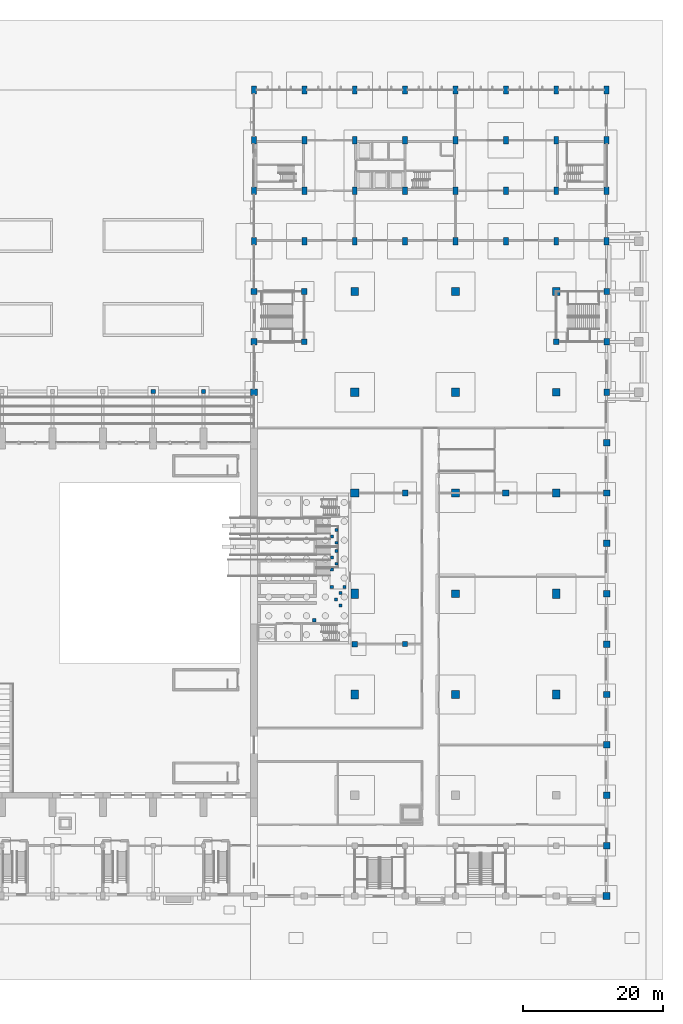
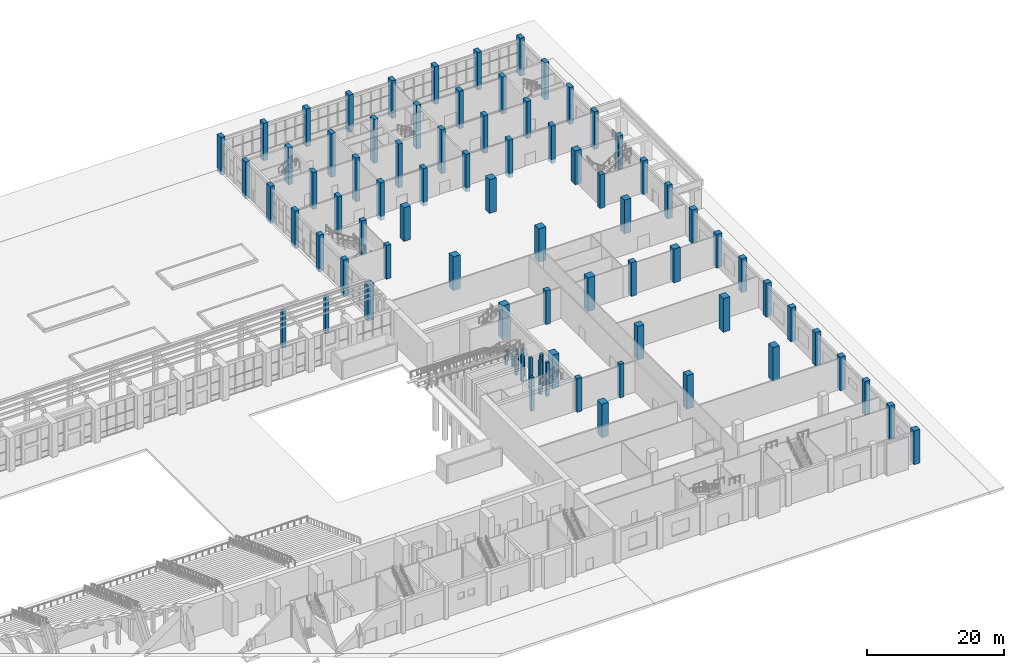
# One storey, part 6 of 70: 85 columns.
"""IFC4 building model written with IfcOpenShell, lengths in metres."""

from ifc_helpers import new_model, si_unit, direction, frame, origin, origin_2d, place, context, subcontext, project, spatial, rectangle, extrude, material, material_profile, profile_set, type_object, element, save


model = new_model("IFC4")

# Units and contexts
model_context = context("Model", 3, precision=1e-05, world=origin(), true_north=direction((0.0, 1.0)))
body_context = subcontext(model_context, "Body", "Model", "MODEL_VIEW")
ifc_project = project(units=[si_unit("LENGTHUNIT", "METRE"), si_unit("AREAUNIT", "SQUARE_METRE"), si_unit("VOLUMEUNIT", "CUBIC_METRE"), si_unit("PLANEANGLEUNIT", "RADIAN"), si_unit("MASSUNIT", "GRAM", prefix="KILO")], contexts=[model_context])

# Site, building, storey
site_placement = place(None, origin())
site = spatial("IfcSite", under=ifc_project, at=site_placement, CompositionType="ELEMENT")
building_placement = place(site_placement, origin())
building = spatial("IfcBuilding", under=site, at=building_placement, Name="Vermilion Court Aquatics Centre", CompositionType="ELEMENT")
storey_placement = place(building_placement, origin())
storey = spatial("IfcBuildingStorey", under=building, at=storey_placement, Name="L00", CompositionType="ELEMENT", Elevation=0.0)

# Columns
ifc_material_1 = material(Name="Concrete 5000 psi", Category="concrete")
ifc_material_profile_1 = material_profile(ifc_material_1, rectangle(XDim=0.60009765625, YDim=0.60009765625, at=origin_2d()), Name="RC 600x600")
ifc_profile_set_1 = profile_set([ifc_material_profile_1], Name="Concrete 5000 psi")
column_type_1 = type_object("IfcColumnType", Name="Court arcade column RC 600x600", PredefinedType="COLUMN", material=ifc_profile_set_1)
for number, where, z_axis, x_axis, name in (
    (1, (129.60009765625, 72.10009765625, -0.449951171875), (0.0, 0.0, 1.0), (1.0, 0.0, 0.0), "Court arcade column 17"),
    (2, (136.800048828125, 72.10009765625, -0.449951171875), (0.0, 0.0, 1.0), (1.0, 0.0, 0.0), "Court arcade column 18"),
):
    element("IfcColumn", number, at=place(storey_placement, frame(where, z_axis=z_axis, x_axis=x_axis)), inside=storey, type_object=column_type_1, Name=name, PredefinedType="COLUMN", context=body_context, shape_type="SweptSolid", body=[
        extrude(rectangle(XDim=0.60009765625, YDim=0.60009765625, at=origin_2d()), origin(), (0.0, 0.0, 1.0), 6.449951171875),
    ])
ifc_material_2 = material(Name="Concrete 5000 psi", Category="concrete")
ifc_material_profile_2 = material_profile(ifc_material_2, rectangle(XDim=0.39990234375, YDim=0.39990234375, at=origin_2d()), Name="RC 400x400")
ifc_profile_set_2 = profile_set([ifc_material_profile_2], Name="Concrete 5000 psi")
column_type_2 = type_object("IfcColumnType", Name="Hall RC 400x400", PredefinedType="COLUMN", material=ifc_profile_set_2)
for number, where, z_axis, x_axis, name in (
    (3, (155.81005859375, 50.5, 0.0), (0.0, 0.0, 1.0), (1.0, 0.0, 0.0), "Diving tower stair column A1-1"),
    (4, (155.81005859375, 52.300048828125, 0.0), (0.0, 0.0, 1.0), (1.0, 0.0, 0.0), "Diving tower stair column A1-2"),
    (5, (155.159912109375, 51.39990234375, 0.0), (0.0, 0.0, 1.0), (1.0, 0.0, 0.0), "Diving tower stair column A1-G"),
):
    element("IfcColumn", number, at=place(storey_placement, frame(where, z_axis=z_axis, x_axis=x_axis)), inside=storey, type_object=column_type_2, Name=name, PredefinedType="COLUMN", context=body_context, shape_type="SweptSolid", body=[
        extrude(rectangle(XDim=0.39990234375, YDim=0.39990234375, at=origin_2d()), origin(), (0.0, 0.0, 1.0), 1.699951171875),
    ])
for number, where, z_axis, x_axis, name in (
    (6, (155.81005859375, 47.5, 0.0), (0.0, 0.0, 1.0), (1.0, 0.0, 0.0), "Diving tower stair column A2-1"),
    (7, (155.81005859375, 49.300048828125, 0.0), (0.0, 0.0, 1.0), (1.0, 0.0, 0.0), "Diving tower stair column A2-2"),
    (8, (155.159912109375, 48.39990234375, 0.0), (0.0, 0.0, 1.0), (1.0, 0.0, 0.0), "Diving tower stair column A2-G"),
):
    element("IfcColumn", number, at=place(storey_placement, frame(where, z_axis=z_axis, x_axis=x_axis)), inside=storey, type_object=column_type_2, Name=name, PredefinedType="COLUMN", context=body_context, shape_type="SweptSolid", body=[
        extrude(rectangle(XDim=0.39990234375, YDim=0.39990234375, at=origin_2d()), origin(), (0.0, 0.0, 1.0), 3.699951171875),
    ])
ifc_material_3 = material(Name="Concrete 5000 psi", Category="concrete")
ifc_material_profile_3 = material_profile(ifc_material_3, rectangle(XDim=0.449951171875, YDim=0.449951171875, at=origin_2d()), Name="RC 450x450")
ifc_profile_set_3 = profile_set([ifc_material_profile_3], Name="Concrete 5000 psi")
column_type_3 = type_object("IfcColumnType", Name="Hall RC 450x450", PredefinedType="COLUMN", material=ifc_profile_set_3)
for number, where, z_axis, x_axis, name in (
    (9, (155.110107421875, 44.14990234375, 0.0), (0.0, 0.0, 1.0), (1.0, 0.0, 0.0), "Diving tower stair column A3-1"),
    (10, (155.110107421875, 46.64990234375, 0.0), (0.0, 0.0, 1.0), (1.0, 0.0, 0.0), "Diving tower stair column A3-2"),
    (11, (156.929931640625, 44.14990234375, 0.0), (0.0, 0.0, 1.0), (1.0, 0.0, 0.0), "Diving tower stair column A3-3"),
):
    element("IfcColumn", number, at=place(storey_placement, frame(where, z_axis=z_axis, x_axis=x_axis)), inside=storey, type_object=column_type_3, Name=name, PredefinedType="COLUMN", context=body_context, shape_type="SweptSolid", body=[
        extrude(rectangle(XDim=0.449951171875, YDim=0.449951171875, at=origin_2d()), origin(), (0.0, 0.0, 1.0), 5.699951171875),
    ])
for number, where, z_axis, x_axis, name in (
    (12, (156.3701171875, 41.5, 0.0), (0.0, 0.0, 1.0), (1.0, 0.0, 0.0), "Diving tower stair column B1-1"),
    (13, (156.3701171875, 43.300048828125, 0.0), (0.0, 0.0, 1.0), (1.0, 0.0, 0.0), "Diving tower stair column B1-2"),
    (14, (155.719970703125, 42.39990234375, 0.0), (0.0, 0.0, 1.0), (1.0, 0.0, 0.0), "Diving tower stair column B1-G"),
):
    element("IfcColumn", number, at=place(storey_placement, frame(where, z_axis=z_axis, x_axis=x_axis)), inside=storey, type_object=column_type_3, Name=name, PredefinedType="COLUMN", context=body_context, shape_type="SweptSolid", body=[
        extrude(rectangle(XDim=0.449951171875, YDim=0.449951171875, at=origin_2d()), origin(), (0.0, 0.0, 1.0), 6.0),
    ])
ifc_material_4 = material(Name="Concrete 5000 psi", Category="concrete")
ifc_material_profile_4 = material_profile(ifc_material_4, rectangle(XDim=0.5, YDim=0.5, at=origin_2d()), Name="RC 500x500")
ifc_profile_set_4 = profile_set([ifc_material_profile_4], Name="Concrete 5000 psi")
column_type_4 = type_object("IfcColumnType", Name="Hall RC 500x500", PredefinedType="COLUMN", material=ifc_profile_set_4)
column_1_placement = place(storey_placement, frame((152.60009765625, 39.39990234375, 0.0), z_axis=(0.0, 0.0, 1.0), x_axis=(1.0, 0.0, 0.0)))
element("IfcColumn", 15, at=column_1_placement, inside=storey, type_object=column_type_4, Name="Platform support column", PredefinedType="COLUMN", context=body_context, shape_type="SweptSolid", body=[
    extrude(rectangle(XDim=0.5, YDim=0.5, at=origin_2d()), origin(), (0.0, 0.0, 1.0), 6.0),
])
ifc_material_5 = material(Name="Concrete 8000 psi", Category="concrete")
ifc_material_profile_5 = material_profile(ifc_material_5, rectangle(XDim=0.699951171875, YDim=1.10009765625, at=origin_2d()), Name="RC 700x1100")
ifc_profile_set_5 = profile_set([ifc_material_profile_5], Name="Concrete 8000 psi")
column_type_5 = type_object("IfcColumnType", Name="North block inner column 700x1100", PredefinedType="COLUMN", material=ifc_profile_set_5)
for number, where, z_axis, x_axis, name in (
    (16, (151.199951171875, 100.800048828125, -0.60009765625), (0.0, 0.0, 1.0), (1.0, 0.0, 0.0), "Column 22Q L00"),
    (17, (151.199951171875, 108.0, -0.60009765625), (0.0, 0.0, 1.0), (1.0, 0.0, 0.0), "Column 22R L00"),
):
    element("IfcColumn", number, at=place(storey_placement, frame(where, z_axis=z_axis, x_axis=x_axis)), inside=storey, type_object=column_type_5, Name=name, PredefinedType="COLUMN", context=body_context, shape_type="SweptSolid", body=[
        extrude(rectangle(XDim=0.699951171875, YDim=1.10009765625, at=origin_2d()), origin(), (0.0, 0.0, 1.0), 6.60009765625),
    ])
for number, where, z_axis, x_axis, name in (
    (18, (158.39990234375, 100.800048828125, -1.800048828125), (0.0, 0.0, 1.0), (1.0, 0.0, 0.0), "Column 23Q L00"),
    (19, (158.39990234375, 108.0, -1.800048828125), (0.0, 0.0, 1.0), (1.0, 0.0, 0.0), "Column 23R L00"),
    (20, (165.60009765625, 100.800048828125, -1.800048828125), (0.0, 0.0, 1.0), (1.0, 0.0, 0.0), "Column 24Q L00"),
    (21, (165.60009765625, 108.0, -1.800048828125), (0.0, 0.0, 1.0), (1.0, 0.0, 0.0), "Column 24R L00"),
    (22, (172.800048828125, 100.800048828125, -1.800048828125), (0.0, 0.0, 1.0), (1.0, 0.0, 0.0), "Column 25Q L00"),
    (23, (172.800048828125, 108.0, -1.800048828125), (0.0, 0.0, 1.0), (1.0, 0.0, 0.0), "Column 25R L00"),
):
    element("IfcColumn", number, at=place(storey_placement, frame(where, z_axis=z_axis, x_axis=x_axis)), inside=storey, type_object=column_type_5, Name=name, PredefinedType="COLUMN", context=body_context, shape_type="SweptSolid", body=[
        extrude(rectangle(XDim=0.699951171875, YDim=1.10009765625, at=origin_2d()), origin(), (0.0, 0.0, 1.0), 7.800048828125),
    ])
for number, where, z_axis, x_axis, name in (
    (24, (180.0, 100.800048828125, -0.699951171875), (0.0, 0.0, 1.0), (1.0, 0.0, 0.0), "Column 26Q L00"),
    (25, (180.0, 108.0, -0.699951171875), (0.0, 0.0, 1.0), (1.0, 0.0, 0.0), "Column 26R L00"),
):
    element("IfcColumn", number, at=place(storey_placement, frame(where, z_axis=z_axis, x_axis=x_axis)), inside=storey, type_object=column_type_5, Name=name, PredefinedType="COLUMN", context=body_context, shape_type="SweptSolid", body=[
        extrude(rectangle(XDim=0.699951171875, YDim=1.10009765625, at=origin_2d()), origin(), (0.0, 0.0, 1.0), 6.699951171875),
    ])
for number, where, z_axis, x_axis, name in (
    (26, (187.199951171875, 100.800048828125, -0.60009765625), (0.0, 0.0, 1.0), (1.0, 0.0, 0.0), "Column 27Q L00"),
    (27, (187.199951171875, 108.0, -0.60009765625), (0.0, 0.0, 1.0), (1.0, 0.0, 0.0), "Column 27R L00"),
):
    element("IfcColumn", number, at=place(storey_placement, frame(where, z_axis=z_axis, x_axis=x_axis)), inside=storey, type_object=column_type_5, Name=name, PredefinedType="COLUMN", context=body_context, shape_type="SweptSolid", body=[
        extrude(rectangle(XDim=0.699951171875, YDim=1.10009765625, at=origin_2d()), origin(), (0.0, 0.0, 1.0), 6.60009765625),
    ])
ifc_material_6 = material(Name="Concrete 8000 psi", Category="concrete")
ifc_material_profile_6 = material_profile(ifc_material_6, rectangle(XDim=0.699951171875, YDim=1.10009765625, at=origin_2d()), Name="RC 700x1100")
ifc_profile_set_6 = profile_set([ifc_material_profile_6], Name="Concrete 8000 psi")
column_type_6 = type_object("IfcColumnType", Name="North block perimeter column 700x1100", PredefinedType="COLUMN", material=ifc_profile_set_6)
column_2_placement = place(storey_placement, frame((144.0, 93.60009765625, -0.699951171875), z_axis=(0.0, 0.0, 1.0), x_axis=(1.0, 0.0, 0.0)))
element("IfcColumn", 28, at=column_2_placement, inside=storey, type_object=column_type_6, Name="Column 21P L00", PredefinedType="COLUMN", context=body_context, shape_type="SweptSolid", body=[
    extrude(rectangle(XDim=0.699951171875, YDim=1.10009765625, at=origin_2d()), origin(), (0.0, 0.0, 1.0), 6.699951171875),
])
for number, where, z_axis, x_axis, name in (
    (29, (144.0, 100.800048828125, -0.60009765625), (0.0, 0.0, 1.0), (1.0, 0.0, 0.0), "Column 21Q L00"),
    (30, (144.0, 108.0, -0.60009765625), (0.0, 0.0, 1.0), (1.0, 0.0, 0.0), "Column 21R L00"),
):
    element("IfcColumn", number, at=place(storey_placement, frame(where, z_axis=z_axis, x_axis=x_axis)), inside=storey, type_object=column_type_6, Name=name, PredefinedType="COLUMN", context=body_context, shape_type="SweptSolid", body=[
        extrude(rectangle(XDim=0.699951171875, YDim=1.10009765625, at=origin_2d()), origin(), (0.0, 0.0, 1.0), 6.60009765625),
    ])
for number, where, z_axis, x_axis, name in (
    (31, (144.0, 115.199951171875, -0.699951171875), (0.0, 0.0, 1.0), (1.0, 0.0, 0.0), "Column 21S L00"),
    (32, (151.199951171875, 93.60009765625, -0.699951171875), (0.0, 0.0, 1.0), (1.0, 0.0, 0.0), "Column 22P L00"),
    (33, (151.199951171875, 115.199951171875, -0.699951171875), (0.0, 0.0, 1.0), (1.0, 0.0, 0.0), "Column 22S L00"),
    (34, (158.39990234375, 93.60009765625, -0.699951171875), (0.0, 0.0, 1.0), (1.0, 0.0, 0.0), "Column 23P L00"),
    (35, (158.39990234375, 115.199951171875, -0.699951171875), (0.0, 0.0, 1.0), (1.0, 0.0, 0.0), "Column 23S L00"),
    (36, (165.60009765625, 93.60009765625, -0.699951171875), (0.0, 0.0, 1.0), (1.0, 0.0, 0.0), "Column 24P L00"),
    (37, (165.60009765625, 115.199951171875, -0.699951171875), (0.0, 0.0, 1.0), (1.0, 0.0, 0.0), "Column 24S L00"),
    (38, (172.800048828125, 93.60009765625, -0.699951171875), (0.0, 0.0, 1.0), (1.0, 0.0, 0.0), "Column 25P L00"),
    (39, (172.800048828125, 115.199951171875, -0.699951171875), (0.0, 0.0, 1.0), (1.0, 0.0, 0.0), "Column 25S L00"),
    (40, (180.0, 93.60009765625, -0.699951171875), (0.0, 0.0, 1.0), (1.0, 0.0, 0.0), "Column 26P L00"),
    (41, (180.0, 115.199951171875, -0.699951171875), (0.0, 0.0, 1.0), (1.0, 0.0, 0.0), "Column 26S L00"),
    (42, (187.199951171875, 93.60009765625, -0.699951171875), (0.0, 0.0, 1.0), (1.0, 0.0, 0.0), "Column 27P L00"),
    (43, (187.199951171875, 115.199951171875, -0.699951171875), (0.0, 0.0, 1.0), (1.0, 0.0, 0.0), "Column 27S L00"),
    (44, (194.39990234375, 93.60009765625, -0.699951171875), (0.0, 0.0, 1.0), (1.0, 0.0, 0.0), "Column 28P L00"),
):
    element("IfcColumn", number, at=place(storey_placement, frame(where, z_axis=z_axis, x_axis=x_axis)), inside=storey, type_object=column_type_6, Name=name, PredefinedType="COLUMN", context=body_context, shape_type="SweptSolid", body=[
        extrude(rectangle(XDim=0.699951171875, YDim=1.10009765625, at=origin_2d()), origin(), (0.0, 0.0, 1.0), 6.699951171875),
    ])
for number, where, z_axis, x_axis, name in (
    (45, (194.39990234375, 100.800048828125, -0.60009765625), (0.0, 0.0, 1.0), (1.0, 0.0, 0.0), "Column 28Q L00"),
    (46, (194.39990234375, 108.0, -0.60009765625), (0.0, 0.0, 1.0), (1.0, 0.0, 0.0), "Column 28R L00"),
):
    element("IfcColumn", number, at=place(storey_placement, frame(where, z_axis=z_axis, x_axis=x_axis)), inside=storey, type_object=column_type_6, Name=name, PredefinedType="COLUMN", context=body_context, shape_type="SweptSolid", body=[
        extrude(rectangle(XDim=0.699951171875, YDim=1.10009765625, at=origin_2d()), origin(), (0.0, 0.0, 1.0), 6.60009765625),
    ])
column_3_placement = place(storey_placement, frame((194.39990234375, 115.199951171875, -0.699951171875), z_axis=(0.0, 0.0, 1.0), x_axis=(1.0, 0.0, 0.0)))
element("IfcColumn", 47, at=column_3_placement, inside=storey, type_object=column_type_6, Name="Column 28S L00", PredefinedType="COLUMN", context=body_context, shape_type="SweptSolid", body=[
    extrude(rectangle(XDim=0.699951171875, YDim=1.10009765625, at=origin_2d()), origin(), (0.0, 0.0, 1.0), 6.699951171875),
])
ifc_material_7 = material(Name="Concrete 5000 psi", Category="concrete")
ifc_material_profile_7 = material_profile(ifc_material_7, rectangle(XDim=1.0, YDim=1.0, at=origin_2d()), Name="RC 1000x1000")
ifc_profile_set_7 = profile_set([ifc_material_profile_7], Name="Concrete 5000 psi")
column_type_7 = type_object("IfcColumnType", Name="Podium corner column RC 1000x1000", PredefinedType="COLUMN", material=ifc_profile_set_7)
column_4_placement = place(storey_placement, frame((194.39990234375, 0.0, 0.0), z_axis=(0.0, 0.0, 1.0), x_axis=(1.0, 0.0, 0.0)))
element("IfcColumn", 48, at=column_4_placement, inside=storey, type_object=column_type_7, Name="Column 28/A", PredefinedType="COLUMN", context=body_context, shape_type="SweptSolid", body=[
    extrude(rectangle(XDim=1.0, YDim=1.0, at=origin_2d()), origin(), (0.0, 0.0, 1.0), 6.0),
])
ifc_material_8 = material(Name="Concrete 5000 psi", Category="concrete")
ifc_material_profile_8 = material_profile(ifc_material_8, rectangle(XDim=1.0, YDim=0.89990234375, at=origin_2d()), Name="RC 1000x900")
ifc_profile_set_8 = profile_set([ifc_material_profile_8], Name="Concrete 5000 psi")
column_type_8 = type_object("IfcColumnType", Name="Podium facade column RC 1000x900", PredefinedType="COLUMN", material=ifc_profile_set_8)
column_5_placement = place(storey_placement, frame((144.0, 72.0, -0.5), z_axis=(0.0, 0.0, 1.0), x_axis=(1.0, 0.0, 0.0)))
element("IfcColumn", 49, at=column_5_placement, inside=storey, type_object=column_type_8, Name="Column 21/L", PredefinedType="COLUMN", context=body_context, shape_type="SweptSolid", body=[
    extrude(rectangle(XDim=1.0, YDim=0.89990234375, at=origin_2d()), origin(), (0.0, 0.0, 1.0), 6.5),
])
ifc_material_9 = material(Name="Concrete 5000 psi", Category="concrete")
ifc_material_profile_9 = material_profile(ifc_material_9, rectangle(XDim=0.800048828125, YDim=0.89990234375, at=origin_2d()), Name="RC 800x900")
ifc_profile_set_9 = profile_set([ifc_material_profile_9], Name="Concrete 5000 psi")
column_type_9 = type_object("IfcColumnType", Name="Podium facade column RC 800x900", PredefinedType="COLUMN", material=ifc_profile_set_9)
for number, where, z_axis, x_axis, name in (
    (50, (144.0, 79.199951171875, -0.5), (0.0, 0.0, 1.0), (1.0, 0.0, 0.0), "Column 21/M"),
    (51, (144.0, 86.39990234375, -0.5), (0.0, 0.0, 1.0), (1.0, 0.0, 0.0), "Column 21/N"),
):
    element("IfcColumn", number, at=place(storey_placement, frame(where, z_axis=z_axis, x_axis=x_axis)), inside=storey, type_object=column_type_9, Name=name, PredefinedType="COLUMN", context=body_context, shape_type="SweptSolid", body=[
        extrude(rectangle(XDim=0.800048828125, YDim=0.89990234375, at=origin_2d()), origin(), (0.0, 0.0, 1.0), 6.5),
    ])
for number, where, z_axis, x_axis, name in (
    (52, (194.39990234375, 72.0, 0.0), (0.0, 0.0, 1.0), (1.0, 0.0, 0.0), "Column 28/L"),
    (53, (194.39990234375, 79.199951171875, 0.0), (0.0, 0.0, 1.0), (1.0, 0.0, 0.0), "Column 28/M"),
    (54, (194.39990234375, 86.39990234375, 0.0), (0.0, 0.0, 1.0), (1.0, 0.0, 0.0), "Column 28/N"),
):
    element("IfcColumn", number, at=place(storey_placement, frame(where, z_axis=z_axis, x_axis=x_axis)), inside=storey, type_object=column_type_9, Name=name, PredefinedType="COLUMN", context=body_context, shape_type="SweptSolid", body=[
        extrude(rectangle(XDim=0.800048828125, YDim=0.89990234375, at=origin_2d()), origin(), (0.0, 0.0, 1.0), 6.0),
    ])
ifc_material_10 = material(Name="Concrete 5000 psi", Category="concrete")
ifc_material_profile_10 = material_profile(ifc_material_10, rectangle(XDim=0.89990234375, YDim=0.89990234375, at=origin_2d()), Name="RC 900x900")
ifc_profile_set_10 = profile_set([ifc_material_profile_10], Name="Concrete 5000 psi")
column_type_10 = type_object("IfcColumnType", Name="Podium facade column RC 900x900", PredefinedType="COLUMN", material=ifc_profile_set_10)
for number, where, z_axis, x_axis, name in (
    (55, (194.39990234375, 7.199951171875, 0.0), (0.0, 0.0, 1.0), (1.0, 0.0, 0.0), "Column 28/B"),
    (56, (194.39990234375, 14.39990234375, 0.0), (0.0, 0.0, 1.0), (1.0, 0.0, 0.0), "Column 28/C"),
    (57, (194.39990234375, 21.60009765625, 0.0), (0.0, 0.0, 1.0), (1.0, 0.0, 0.0), "Column 28/D"),
    (58, (194.39990234375, 28.800048828125, 0.0), (0.0, 0.0, 1.0), (1.0, 0.0, 0.0), "Column 28/E"),
    (59, (194.39990234375, 36.0, 0.0), (0.0, 0.0, 1.0), (1.0, 0.0, 0.0), "Column 28/F"),
    (60, (194.39990234375, 43.199951171875, 0.0), (0.0, 0.0, 1.0), (1.0, 0.0, 0.0), "Column 28/G"),
    (61, (194.39990234375, 50.39990234375, 0.0), (0.0, 0.0, 1.0), (1.0, 0.0, 0.0), "Column 28/H"),
    (62, (194.39990234375, 57.60009765625, 0.0), (0.0, 0.0, 1.0), (1.0, 0.0, 0.0), "Column 28/J"),
    (63, (194.39990234375, 64.800048828125, 0.0), (0.0, 0.0, 1.0), (1.0, 0.0, 0.0), "Column 28/K"),
):
    element("IfcColumn", number, at=place(storey_placement, frame(where, z_axis=z_axis, x_axis=x_axis)), inside=storey, type_object=column_type_10, Name=name, PredefinedType="COLUMN", context=body_context, shape_type="SweptSolid", body=[
        extrude(rectangle(XDim=0.89990234375, YDim=0.89990234375, at=origin_2d()), origin(), (0.0, 0.0, 1.0), 6.0),
    ])
ifc_material_11 = material(Name="Concrete 5000 psi", Category="concrete")
ifc_material_profile_11 = material_profile(ifc_material_11, rectangle(XDim=0.800048828125, YDim=0.800048828125, at=origin_2d()), Name="RC 800x800")
ifc_profile_set_11 = profile_set([ifc_material_profile_11], Name="Concrete 5000 psi")
column_type_11 = type_object("IfcColumnType", Name="Podium fitness hall column RC 800x800", PredefinedType="COLUMN", material=ifc_profile_set_11)
for number, where, z_axis, x_axis, name in (
    (64, (158.39990234375, 36.0, 0.0), (0.0, 0.0, 1.0), (1.0, 0.0, 0.0), "Column 23/F"),
    (65, (165.60009765625, 57.60009765625, 0.0), (0.0, 0.0, 1.0), (1.0, 0.0, 0.0), "Column 24/J"),
):
    element("IfcColumn", number, at=place(storey_placement, frame(where, z_axis=z_axis, x_axis=x_axis)), inside=storey, type_object=column_type_11, Name=name, PredefinedType="COLUMN", context=body_context, shape_type="SweptSolid", body=[
        extrude(rectangle(XDim=0.800048828125, YDim=0.800048828125, at=origin_2d()), origin(), (0.0, 0.0, 1.0), 6.0),
    ])
ifc_material_12 = material(Name="Concrete 5000 psi", Category="concrete")
ifc_material_profile_12 = material_profile(ifc_material_12, rectangle(XDim=0.89990234375, YDim=0.89990234375, at=origin_2d()), Name="RC 900x900")
ifc_profile_set_12 = profile_set([ifc_material_profile_12], Name="Concrete 5000 psi")
column_type_12 = type_object("IfcColumnType", Name="Podium fitness hall column RC 900x900", PredefinedType="COLUMN", material=ifc_profile_set_12)
column_6_placement = place(storey_placement, frame((180.0, 57.60009765625, 0.0), z_axis=(0.0, 0.0, 1.0), x_axis=(1.0, 0.0, 0.0)))
element("IfcColumn", 66, at=column_6_placement, inside=storey, type_object=column_type_12, Name="Column 26/J", PredefinedType="COLUMN", context=body_context, shape_type="SweptSolid", body=[
    extrude(rectangle(XDim=0.89990234375, YDim=0.89990234375, at=origin_2d()), origin(), (0.0, 0.0, 1.0), 6.0),
])
ifc_material_13 = material(Name="Concrete 5000 psi", Category="concrete")
ifc_material_profile_13 = material_profile(ifc_material_13, rectangle(XDim=0.699951171875, YDim=0.699951171875, at=origin_2d()), Name="RC 700x700")
ifc_profile_set_13 = profile_set([ifc_material_profile_13], Name="Concrete 5000 psi")
column_type_13 = type_object("IfcColumnType", Name="Podium interior column RC 700x700", PredefinedType="COLUMN", material=ifc_profile_set_13)
column_7_placement = place(storey_placement, frame((165.60009765625, 36.0, 0.0), z_axis=(0.0, 0.0, 1.0), x_axis=(1.0, 0.0, 0.0)))
element("IfcColumn", 67, at=column_7_placement, inside=storey, type_object=column_type_13, Name="Column 24/F", PredefinedType="COLUMN", context=body_context, shape_type="SweptSolid", body=[
    extrude(rectangle(XDim=0.699951171875, YDim=0.699951171875, at=origin_2d()), origin(), (0.0, 0.0, 1.0), 6.0),
])
ifc_material_14 = material(Name="Concrete 5000 psi", Category="concrete")
ifc_material_profile_14 = material_profile(ifc_material_14, rectangle(XDim=0.800048828125, YDim=0.800048828125, at=origin_2d()), Name="RC 800x800")
ifc_profile_set_14 = profile_set([ifc_material_profile_14], Name="Concrete 5000 psi")
column_type_14 = type_object("IfcColumnType", Name="Podium interior column RC 800x800", PredefinedType="COLUMN", material=ifc_profile_set_14)
for number, where, z_axis, x_axis, name in (
    (68, (151.199951171875, 79.199951171875, 0.0), (0.0, 0.0, 1.0), (1.0, 0.0, 0.0), "Column 22/M"),
    (69, (151.199951171875, 86.39990234375, 0.0), (0.0, 0.0, 1.0), (1.0, 0.0, 0.0), "Column 22/N"),
    (70, (187.199951171875, 79.199951171875, 0.0), (0.0, 0.0, 1.0), (1.0, 0.0, 0.0), "Column 27/M"),
):
    element("IfcColumn", number, at=place(storey_placement, frame(where, z_axis=z_axis, x_axis=x_axis)), inside=storey, type_object=column_type_14, Name=name, PredefinedType="COLUMN", context=body_context, shape_type="SweptSolid", body=[
        extrude(rectangle(XDim=0.800048828125, YDim=0.800048828125, at=origin_2d()), origin(), (0.0, 0.0, 1.0), 6.0),
    ])
ifc_material_15 = material(Name="Concrete 5000 psi", Category="concrete")
ifc_material_profile_15 = material_profile(ifc_material_15, rectangle(XDim=1.10009765625, YDim=1.10009765625, at=origin_2d()), Name="RC 1100x1100")
ifc_profile_set_15 = profile_set([ifc_material_profile_15], Name="Concrete 5000 psi")
column_type_15 = type_object("IfcColumnType", Name="Podium node column 1100", PredefinedType="COLUMN", material=ifc_profile_set_15)
for number, where, z_axis, x_axis, name in (
    (71, (158.39990234375, 86.39990234375, 0.0), (0.0, 0.0, 1.0), (1.0, 0.0, 0.0), "Column 23/N"),
    (72, (172.800048828125, 28.800048828125, 0.0), (0.0, 0.0, 1.0), (1.0, 0.0, 0.0), "Column 25/E"),
    (73, (172.800048828125, 43.199951171875, 0.0), (0.0, 0.0, 1.0), (1.0, 0.0, 0.0), "Column 25/G"),
    (74, (187.199951171875, 57.60009765625, 0.0), (0.0, 0.0, 1.0), (1.0, 0.0, 0.0), "Column 27/J"),
    (75, (187.199951171875, 72.0, 0.0), (0.0, 0.0, 1.0), (1.0, 0.0, 0.0), "Column 27/L"),
    (76, (187.199951171875, 86.39990234375, 0.0), (0.0, 0.0, 1.0), (1.0, 0.0, 0.0), "Column 27/N"),
):
    element("IfcColumn", number, at=place(storey_placement, frame(where, z_axis=z_axis, x_axis=x_axis)), inside=storey, type_object=column_type_15, Name=name, PredefinedType="COLUMN", context=body_context, shape_type="SweptSolid", body=[
        extrude(rectangle(XDim=1.10009765625, YDim=1.10009765625, at=origin_2d()), origin(), (0.0, 0.0, 1.0), 6.0),
    ])
ifc_material_16 = material(Name="Concrete 5000 psi", Category="concrete")
ifc_material_profile_16 = material_profile(ifc_material_16, rectangle(XDim=1.10009765625, YDim=1.300048828125, at=origin_2d()), Name="RC 1100x1300")
ifc_profile_set_16 = profile_set([ifc_material_profile_16], Name="Concrete 5000 psi")
column_type_16 = type_object("IfcColumnType", Name="Podium node column 1100x1300", PredefinedType="COLUMN", material=ifc_profile_set_16)
for number, where, z_axis, x_axis, name in (
    (77, (158.39990234375, 28.800048828125, 0.0), (0.0, 0.0, 1.0), (1.0, 0.0, 0.0), "Column 23/E"),
    (78, (158.39990234375, 43.199951171875, 0.0), (0.0, 0.0, 1.0), (1.0, 0.0, 0.0), "Column 23/G"),
    (79, (187.199951171875, 28.800048828125, 0.0), (0.0, 0.0, 1.0), (1.0, 0.0, 0.0), "Column 27/E"),
    (80, (187.199951171875, 43.199951171875, 0.0), (0.0, 0.0, 1.0), (1.0, 0.0, 0.0), "Column 27/G"),
):
    element("IfcColumn", number, at=place(storey_placement, frame(where, z_axis=z_axis, x_axis=x_axis)), inside=storey, type_object=column_type_16, Name=name, PredefinedType="COLUMN", context=body_context, shape_type="SweptSolid", body=[
        extrude(rectangle(XDim=1.10009765625, YDim=1.300048828125, at=origin_2d()), origin(), (0.0, 0.0, 1.0), 6.0),
    ])
ifc_material_17 = material(Name="Concrete 5000 psi", Category="concrete")
ifc_material_profile_17 = material_profile(ifc_material_17, rectangle(XDim=1.199951171875, YDim=1.199951171875, at=origin_2d()), Name="RC 1200x1200")
ifc_profile_set_17 = profile_set([ifc_material_profile_17], Name="Concrete 5000 psi")
column_type_17 = type_object("IfcColumnType", Name="Podium node column 1200", PredefinedType="COLUMN", material=ifc_profile_set_17)
for number, where, z_axis, x_axis, name in (
    (81, (158.39990234375, 57.60009765625, 0.0), (0.0, 0.0, 1.0), (1.0, 0.0, 0.0), "Column 23/J"),
    (82, (158.39990234375, 72.0, 0.0), (0.0, 0.0, 1.0), (1.0, 0.0, 0.0), "Column 23/L"),
    (83, (172.800048828125, 57.60009765625, 0.0), (0.0, 0.0, 1.0), (1.0, 0.0, 0.0), "Column 25/J"),
    (84, (172.800048828125, 72.0, 0.0), (0.0, 0.0, 1.0), (1.0, 0.0, 0.0), "Column 25/L"),
    (85, (172.800048828125, 86.39990234375, 0.0), (0.0, 0.0, 1.0), (1.0, 0.0, 0.0), "Column 25/N"),
):
    element("IfcColumn", number, at=place(storey_placement, frame(where, z_axis=z_axis, x_axis=x_axis)), inside=storey, type_object=column_type_17, Name=name, PredefinedType="COLUMN", context=body_context, shape_type="SweptSolid", body=[
        extrude(rectangle(XDim=1.199951171875, YDim=1.199951171875, at=origin_2d()), origin(), (0.0, 0.0, 1.0), 6.0),
    ])

save(model, "model.ifc")
